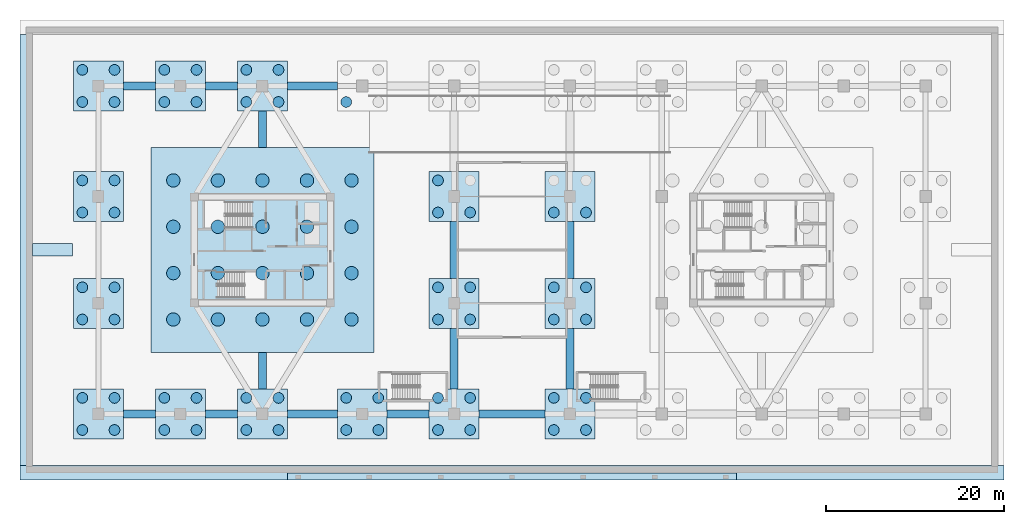
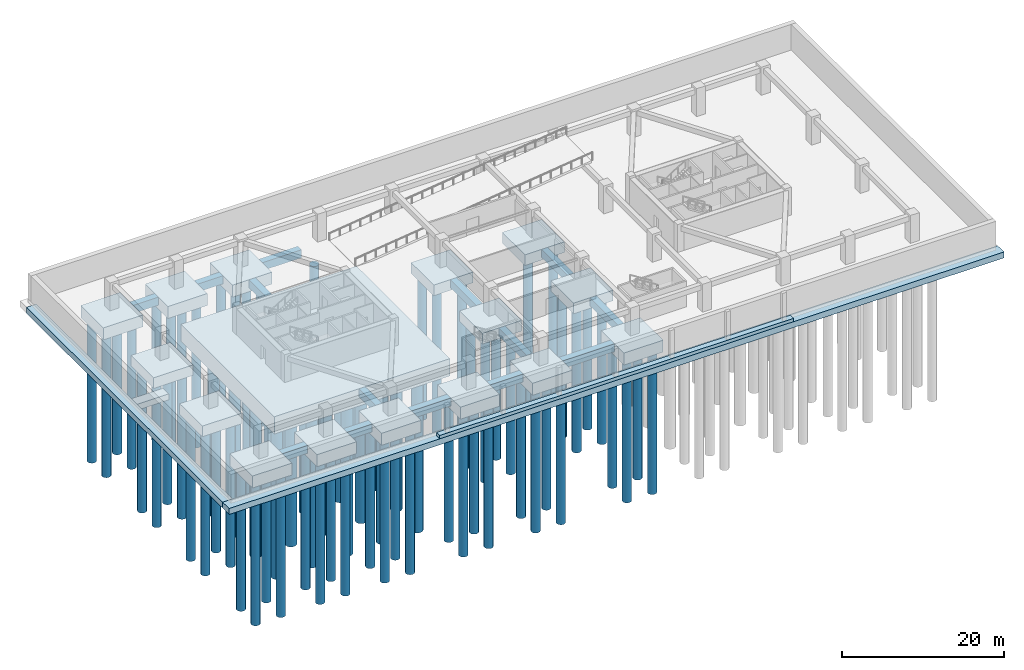
# One storey, part 1 of 14: 78 piles, 34 footings.
"""IFC4 building model written with IfcOpenShell, lengths in metres."""

from ifc_helpers import new_model, si_unit, direction, frame, origin, origin_2d, place, context, subcontext, project, spatial, polyline, circle, outline, extrude, source, transform, mapped, material, layer, layer_set, material_profile, profile_set, type_object, type_shapes, element, save


model = new_model("IFC4")

# Units and contexts
model_context = context("Model", 3, precision=1e-05, world=origin(), true_north=direction((0.0, 1.0)))
body_context = subcontext(model_context, "Body", "Model", "MODEL_VIEW")
ifc_project = project(units=[si_unit("LENGTHUNIT", "METRE"), si_unit("AREAUNIT", "SQUARE_METRE"), si_unit("VOLUMEUNIT", "CUBIC_METRE"), si_unit("PLANEANGLEUNIT", "RADIAN"), si_unit("MASSUNIT", "GRAM", prefix="KILO")], contexts=[model_context])

# Site, building, storey
site_placement = place(None, origin())
site = spatial("IfcSite", under=ifc_project, at=site_placement, CompositionType="ELEMENT")
building_placement = place(site_placement, origin())
building = spatial("IfcBuilding", under=site, at=building_placement, Name="Norrkilde Senior Care Towers", CompositionType="ELEMENT")
storey_placement = place(building_placement, frame((0.0, 0.0, -8.39990234375)))
storey = spatial("IfcBuildingStorey", under=building, at=storey_placement, Name="B2", CompositionType="ELEMENT", Elevation=-8.39990234375)

# Footings
ifc_material_1 = material(Name="Concrete C50/60", Category="concrete")
ifc_layer_1 = layer(ifc_material_1, 1.199951171875)
ifc_layer_set_1 = layer_set([ifc_layer_1], Name="Concrete C50/60")
footing_type_1 = type_object("IfcFootingType", Name="Ground Tie Beam 900x1200", PredefinedType="FOOTING_BEAM", material=ifc_layer_set_1)
footing_1_placement = place(storey_placement, frame((0.0, 0.0, -1.7001953125)))
element("IfcFooting", 1, at=footing_1_placement, inside=storey, type_object=footing_type_1, Name="Ground Tie Beam 01", PredefinedType="FOOTING_BEAM", context=body_context, shape_type="SweptSolid", body=[
    extrude(outline(polyline([(-43.60009765625, -18.85009765625), (-40.0, -18.85009765625), (-40.0, -17.949951171875), (-43.60009765625, -17.949951171875), (-43.60009765625, -18.85009765625)])), origin(), (0.0, 0.0, 1.0), 1.2001953125),
])
footing_2_placement = place(storey_placement, frame((0.0, 0.0, -1.7001953125)))
element("IfcFooting", 2, at=footing_2_placement, inside=storey, type_object=footing_type_1, Name="Ground Tie Beam 02", PredefinedType="FOOTING_BEAM", context=body_context, shape_type="SweptSolid", body=[
    extrude(outline(polyline([(-34.39990234375, -18.85009765625), (-30.800048828125, -18.85009765625), (-30.800048828125, -17.949951171875), (-34.39990234375, -17.949951171875), (-34.39990234375, -18.85009765625)])), origin(), (0.0, 0.0, 1.0), 1.2001953125),
])
footing_3_placement = place(storey_placement, frame((0.0, 0.0, -1.7001953125)))
element("IfcFooting", 3, at=footing_3_placement, inside=storey, type_object=footing_type_1, Name="Ground Tie Beam 03", PredefinedType="FOOTING_BEAM", context=body_context, shape_type="SweptSolid", body=[
    extrude(outline(polyline([(-25.199951171875, -18.85009765625), (-19.60009765625, -18.85009765625), (-19.60009765625, -17.949951171875), (-25.199951171875, -17.949951171875), (-25.199951171875, -18.85009765625)])), origin(), (0.0, 0.0, 1.0), 1.2001953125),
])
footing_4_placement = place(storey_placement, frame((0.0, 0.0, -1.7001953125)))
element("IfcFooting", 4, at=footing_4_placement, inside=storey, type_object=footing_type_1, Name="Ground Tie Beam 04", PredefinedType="FOOTING_BEAM", context=body_context, shape_type="SweptSolid", body=[
    extrude(outline(polyline([(-14.0, -18.85009765625), (-9.300048828125, -18.85009765625), (-9.300048828125, -17.949951171875), (-14.0, -17.949951171875), (-14.0, -18.85009765625)])), origin(), (0.0, 0.0, 1.0), 1.2001953125),
])
footing_5_placement = place(storey_placement, frame((0.0, 0.0, -1.7001953125)))
element("IfcFooting", 5, at=footing_5_placement, inside=storey, type_object=footing_type_1, Name="Ground Tie Beam 05", PredefinedType="FOOTING_BEAM", context=body_context, shape_type="SweptSolid", body=[
    extrude(outline(polyline([(-3.699951171875, -18.85009765625), (3.699951171875, -18.85009765625), (3.699951171875, -17.949951171875), (-3.699951171875, -17.949951171875), (-3.699951171875, -18.85009765625)])), origin(), (0.0, 0.0, 1.0), 1.2001953125),
])
footing_6_placement = place(storey_placement, frame((0.0, 0.0, -1.7001953125)))
element("IfcFooting", 6, at=footing_6_placement, inside=storey, type_object=footing_type_1, Name="Ground Tie Beam 10", PredefinedType="FOOTING_BEAM", context=body_context, shape_type="SweptSolid", body=[
    extrude(outline(polyline([(-43.60009765625, 17.949951171875), (-40.0, 17.949951171875), (-40.0, 18.85009765625), (-43.60009765625, 18.85009765625), (-43.60009765625, 17.949951171875)])), origin(), (0.0, 0.0, 1.0), 1.2001953125),
])
footing_7_placement = place(storey_placement, frame((0.0, 0.0, -1.7001953125)))
element("IfcFooting", 7, at=footing_7_placement, inside=storey, type_object=footing_type_1, Name="Ground Tie Beam 11", PredefinedType="FOOTING_BEAM", context=body_context, shape_type="SweptSolid", body=[
    extrude(outline(polyline([(-34.39990234375, 17.949951171875), (-30.800048828125, 17.949951171875), (-30.800048828125, 18.85009765625), (-34.39990234375, 18.85009765625), (-34.39990234375, 17.949951171875)])), origin(), (0.0, 0.0, 1.0), 1.2001953125),
])
footing_8_placement = place(storey_placement, frame((0.0, 0.0, -1.7001953125)))
element("IfcFooting", 8, at=footing_8_placement, inside=storey, type_object=footing_type_1, Name="Ground Tie Beam 12", PredefinedType="FOOTING_BEAM", context=body_context, shape_type="SweptSolid", body=[
    extrude(outline(polyline([(-25.199951171875, 17.949951171875), (-19.60009765625, 17.949951171875), (-19.60009765625, 18.85009765625), (-25.199951171875, 18.85009765625), (-25.199951171875, 17.949951171875)])), origin(), (0.0, 0.0, 1.0), 1.2001953125),
])
footing_9_placement = place(storey_placement, frame((0.0, 0.0, -1.7001953125)))
element("IfcFooting", 9, at=footing_9_placement, inside=storey, type_object=footing_type_1, Name="Ground Tie Beam 19", PredefinedType="FOOTING_BEAM", context=body_context, shape_type="SweptSolid", body=[
    extrude(outline(polyline([(-28.449951171875, -15.60009765625), (-27.550048828125, -15.60009765625), (-27.550048828125, -11.5), (-28.449951171875, -11.5), (-28.449951171875, -15.60009765625)])), origin(), (0.0, 0.0, 1.0), 1.2001953125),
])
footing_10_placement = place(storey_placement, frame((0.0, 0.0, -1.7001953125)))
element("IfcFooting", 10, at=footing_10_placement, inside=storey, type_object=footing_type_1, Name="Ground Tie Beam 20", PredefinedType="FOOTING_BEAM", context=body_context, shape_type="SweptSolid", body=[
    extrude(outline(polyline([(-28.449951171875, 11.5), (-27.550048828125, 11.5), (-27.550048828125, 15.60009765625), (-28.449951171875, 15.60009765625), (-28.449951171875, 11.5)])), origin(), (0.0, 0.0, 1.0), 1.2001953125),
])
footing_11_placement = place(storey_placement, frame((0.0, 0.0, -1.7001953125)))
element("IfcFooting", 11, at=footing_11_placement, inside=storey, type_object=footing_type_1, Name="Ground Tie Beam 23", PredefinedType="FOOTING_BEAM", context=body_context, shape_type="SweptSolid", body=[
    extrude(outline(polyline([(-6.949951171875, -15.60009765625), (-6.050048828125, -15.60009765625), (-6.050048828125, -8.800048828125), (-6.949951171875, -8.800048828125), (-6.949951171875, -15.60009765625)])), origin(), (0.0, 0.0, 1.0), 1.2001953125),
])
footing_12_placement = place(storey_placement, frame((0.0, 0.0, -1.7001953125)))
element("IfcFooting", 12, at=footing_12_placement, inside=storey, type_object=footing_type_1, Name="Ground Tie Beam 24", PredefinedType="FOOTING_BEAM", context=body_context, shape_type="SweptSolid", body=[
    extrude(outline(polyline([(-6.949951171875, -3.199951171875), (-6.050048828125, -3.199951171875), (-6.050048828125, 3.199951171875), (-6.949951171875, 3.199951171875), (-6.949951171875, -3.199951171875)])), origin(), (0.0, 0.0, 1.0), 1.2001953125),
])
footing_13_placement = place(storey_placement, frame((0.0, 0.0, -1.7001953125)))
element("IfcFooting", 13, at=footing_13_placement, inside=storey, type_object=footing_type_1, Name="Ground Tie Beam 26", PredefinedType="FOOTING_BEAM", context=body_context, shape_type="SweptSolid", body=[
    extrude(outline(polyline([(6.050048828125, -15.60009765625), (6.949951171875, -15.60009765625), (6.949951171875, -8.800048828125), (6.050048828125, -8.800048828125), (6.050048828125, -15.60009765625)])), origin(), (0.0, 0.0, 1.0), 1.2001953125),
])
footing_14_placement = place(storey_placement, frame((0.0, 0.0, -1.7001953125)))
element("IfcFooting", 14, at=footing_14_placement, inside=storey, type_object=footing_type_1, Name="Ground Tie Beam 27", PredefinedType="FOOTING_BEAM", context=body_context, shape_type="SweptSolid", body=[
    extrude(outline(polyline([(6.050048828125, -3.199951171875), (6.949951171875, -3.199951171875), (6.949951171875, 3.199951171875), (6.050048828125, 3.199951171875), (6.050048828125, -3.199951171875)])), origin(), (0.0, 0.0, 1.0), 1.2001953125),
])
ifc_material_2 = material(Name="Concrete C45/55", Category="concrete")
ifc_layer_2 = layer(ifc_material_2, 0.89990234375)
ifc_layer_set_2 = layer_set([ifc_layer_2], Name="Concrete C45/55")
footing_type_2 = type_object("IfcFootingType", Name="Perimeter Wall Strip Footing 1400x900", PredefinedType="STRIP_FOOTING", material=ifc_layer_set_2)
footing_15_placement = place(storey_placement, frame((0.0, 0.0, -0.5)))
element("IfcFooting", 15, at=footing_15_placement, inside=storey, type_object=footing_type_2, Name="Colonnade Pilaster Strip Footing FT-SF-PIL", PredefinedType="STRIP_FOOTING", context=body_context, shape_type="SweptSolid", body=[
    extrude(outline(polyline([(-25.199951171875, -25.800048828125), (25.199951171875, -25.800048828125), (25.199951171875, -25.02001953125), (-25.199951171875, -25.02001953125), (-25.199951171875, -25.800048828125)])), origin(), (0.0, 0.0, 1.0), 0.5),
])
footing_16_placement = place(storey_placement, frame((0.0, 0.0, -1.400146484375)))
element("IfcFooting", 16, at=footing_16_placement, inside=storey, type_object=footing_type_2, Name="Perimeter Strip Footing FT-SF-S", PredefinedType="STRIP_FOOTING", context=body_context, shape_type="SweptSolid", body=[
    extrude(outline(polyline([(-55.199951171875, -25.800048828125), (55.199951171875, -25.800048828125), (55.199951171875, -24.199951171875), (-55.199951171875, -24.199951171875), (-55.199951171875, -25.800048828125)])), origin(), (0.0, 0.0, 1.0), 0.900146484375),
])
footing_17_placement = place(storey_placement, frame((0.0, 0.0, -1.400146484375)))
element("IfcFooting", 17, at=footing_17_placement, inside=storey, type_object=footing_type_2, Name="Perimeter Strip Footing FT-SF-W", PredefinedType="STRIP_FOOTING", context=body_context, shape_type="SweptSolid", body=[
    extrude(outline(polyline([(-55.199951171875, -24.199951171875), (-53.800048828125, -24.199951171875), (-53.800048828125, 24.199951171875), (-55.199951171875, 24.199951171875), (-55.199951171875, -24.199951171875)])), origin(), (0.0, 0.0, 1.0), 0.900146484375),
])
footing_18_placement = place(storey_placement, frame((0.0, 0.0, -1.400146484375)))
element("IfcFooting", 18, at=footing_18_placement, inside=storey, type_object=footing_type_2, Name="Perimeter Strip Footing FT-SF-MW", PredefinedType="STRIP_FOOTING", context=body_context, shape_type="SweptSolid", body=[
    extrude(outline(polyline([(-53.800048828125, -0.699951171875), (-49.300048828125, -0.699951171875), (-49.300048828125, 0.699951171875), (-53.800048828125, 0.699951171875), (-53.800048828125, -0.699951171875)])), origin(), (0.0, 0.0, 1.0), 0.900146484375),
])
ifc_layer_3 = layer(ifc_material_1, 1.800048828125)
ifc_layer_set_3 = layer_set([ifc_layer_3], Name="Concrete C50/60")
footing_type_3 = type_object("IfcFootingType", Name="Podium Heavy Pile Cap 4800x4800x1800", PredefinedType="PILE_CAP", material=ifc_layer_set_3)
footing_19_placement = place(storey_placement, frame((0.0, 0.0, -2.300048828125)))
element("IfcFooting", 19, at=footing_19_placement, inside=storey, type_object=footing_type_3, Name="Podium Pile Cap 01", PredefinedType="PILE_CAP", context=body_context, shape_type="SweptSolid", body=[
    extrude(outline(polyline([(-49.199951171875, -21.199951171875), (-43.60009765625, -21.199951171875), (-43.60009765625, -15.60009765625), (-49.199951171875, -15.60009765625), (-49.199951171875, -21.199951171875)])), origin(), (0.0, 0.0, 1.0), 1.800048828125),
])
footing_20_placement = place(storey_placement, frame((0.0, 0.0, -2.300048828125)))
element("IfcFooting", 20, at=footing_20_placement, inside=storey, type_object=footing_type_3, Name="Podium Pile Cap 02", PredefinedType="PILE_CAP", context=body_context, shape_type="SweptSolid", body=[
    extrude(outline(polyline([(-40.0, -21.199951171875), (-34.39990234375, -21.199951171875), (-34.39990234375, -15.60009765625), (-40.0, -15.60009765625), (-40.0, -21.199951171875)])), origin(), (0.0, 0.0, 1.0), 1.800048828125),
])
footing_21_placement = place(storey_placement, frame((0.0, 0.0, -2.300048828125)))
element("IfcFooting", 21, at=footing_21_placement, inside=storey, type_object=footing_type_3, Name="Podium Pile Cap 03", PredefinedType="PILE_CAP", context=body_context, shape_type="SweptSolid", body=[
    extrude(outline(polyline([(-30.800048828125, -21.199951171875), (-25.199951171875, -21.199951171875), (-25.199951171875, -15.60009765625), (-30.800048828125, -15.60009765625), (-30.800048828125, -21.199951171875)])), origin(), (0.0, 0.0, 1.0), 1.800048828125),
])
footing_22_placement = place(storey_placement, frame((0.0, 0.0, -2.300048828125)))
element("IfcFooting", 22, at=footing_22_placement, inside=storey, type_object=footing_type_3, Name="Podium Pile Cap 04", PredefinedType="PILE_CAP", context=body_context, shape_type="SweptSolid", body=[
    extrude(outline(polyline([(-19.60009765625, -21.199951171875), (-14.0, -21.199951171875), (-14.0, -15.60009765625), (-19.60009765625, -15.60009765625), (-19.60009765625, -21.199951171875)])), origin(), (0.0, 0.0, 1.0), 1.800048828125),
])
footing_23_placement = place(storey_placement, frame((0.0, 0.0, -2.300048828125)))
element("IfcFooting", 23, at=footing_23_placement, inside=storey, type_object=footing_type_3, Name="Podium Pile Cap 05", PredefinedType="PILE_CAP", context=body_context, shape_type="SweptSolid", body=[
    extrude(outline(polyline([(-9.300048828125, -21.199951171875), (-3.699951171875, -21.199951171875), (-3.699951171875, -15.60009765625), (-9.300048828125, -15.60009765625), (-9.300048828125, -21.199951171875)])), origin(), (0.0, 0.0, 1.0), 1.800048828125),
])
footing_24_placement = place(storey_placement, frame((0.0, 0.0, -2.300048828125)))
element("IfcFooting", 24, at=footing_24_placement, inside=storey, type_object=footing_type_3, Name="Podium Pile Cap 06", PredefinedType="PILE_CAP", context=body_context, shape_type="SweptSolid", body=[
    extrude(outline(polyline([(3.699951171875, -21.199951171875), (9.300048828125, -21.199951171875), (9.300048828125, -15.60009765625), (3.699951171875, -15.60009765625), (3.699951171875, -21.199951171875)])), origin(), (0.0, 0.0, 1.0), 1.800048828125),
])
footing_25_placement = place(storey_placement, frame((0.0, 0.0, -2.300048828125)))
element("IfcFooting", 25, at=footing_25_placement, inside=storey, type_object=footing_type_3, Name="Podium Pile Cap 11", PredefinedType="PILE_CAP", context=body_context, shape_type="SweptSolid", body=[
    extrude(outline(polyline([(-49.199951171875, 15.60009765625), (-43.60009765625, 15.60009765625), (-43.60009765625, 21.199951171875), (-49.199951171875, 21.199951171875), (-49.199951171875, 15.60009765625)])), origin(), (0.0, 0.0, 1.0), 1.800048828125),
])
footing_26_placement = place(storey_placement, frame((0.0, 0.0, -2.300048828125)))
element("IfcFooting", 26, at=footing_26_placement, inside=storey, type_object=footing_type_3, Name="Podium Pile Cap 12", PredefinedType="PILE_CAP", context=body_context, shape_type="SweptSolid", body=[
    extrude(outline(polyline([(-40.0, 15.60009765625), (-34.39990234375, 15.60009765625), (-34.39990234375, 21.199951171875), (-40.0, 21.199951171875), (-40.0, 15.60009765625)])), origin(), (0.0, 0.0, 1.0), 1.800048828125),
])
footing_27_placement = place(storey_placement, frame((0.0, 0.0, -2.300048828125)))
element("IfcFooting", 27, at=footing_27_placement, inside=storey, type_object=footing_type_3, Name="Podium Pile Cap 13", PredefinedType="PILE_CAP", context=body_context, shape_type="SweptSolid", body=[
    extrude(outline(polyline([(-30.800048828125, 15.60009765625), (-25.199951171875, 15.60009765625), (-25.199951171875, 21.199951171875), (-30.800048828125, 21.199951171875), (-30.800048828125, 15.60009765625)])), origin(), (0.0, 0.0, 1.0), 1.800048828125),
])
ifc_layer_4 = layer(ifc_material_1, 1.60009765625)
ifc_layer_set_4 = layer_set([ifc_layer_4], Name="Concrete C50/60")
footing_type_4 = type_object("IfcFootingType", Name="Podium Standard Pile Cap 4200x4200x1600", PredefinedType="PILE_CAP", material=ifc_layer_set_4)
footing_28_placement = place(storey_placement, frame((0.0, 0.0, -2.10009765625)))
element("IfcFooting", 28, at=footing_28_placement, inside=storey, type_object=footing_type_4, Name="Podium Pile Cap 21", PredefinedType="PILE_CAP", context=body_context, shape_type="SweptSolid", body=[
    extrude(outline(polyline([(-49.199951171875, -8.800048828125), (-43.60009765625, -8.800048828125), (-43.60009765625, -3.199951171875), (-49.199951171875, -3.199951171875), (-49.199951171875, -8.800048828125)])), origin(), (0.0, 0.0, 1.0), 1.60009765625),
])
footing_29_placement = place(storey_placement, frame((0.0, 0.0, -2.10009765625)))
element("IfcFooting", 29, at=footing_29_placement, inside=storey, type_object=footing_type_4, Name="Podium Pile Cap 22", PredefinedType="PILE_CAP", context=body_context, shape_type="SweptSolid", body=[
    extrude(outline(polyline([(-49.199951171875, 3.199951171875), (-43.60009765625, 3.199951171875), (-43.60009765625, 8.800048828125), (-49.199951171875, 8.800048828125), (-49.199951171875, 3.199951171875)])), origin(), (0.0, 0.0, 1.0), 1.60009765625),
])
footing_30_placement = place(storey_placement, frame((0.0, 0.0, -2.10009765625)))
element("IfcFooting", 30, at=footing_30_placement, inside=storey, type_object=footing_type_4, Name="Podium Pile Cap 23", PredefinedType="PILE_CAP", context=body_context, shape_type="SweptSolid", body=[
    extrude(outline(polyline([(-9.300048828125, -8.800048828125), (-3.699951171875, -8.800048828125), (-3.699951171875, -3.199951171875), (-9.300048828125, -3.199951171875), (-9.300048828125, -8.800048828125)])), origin(), (0.0, 0.0, 1.0), 1.60009765625),
])
footing_31_placement = place(storey_placement, frame((0.0, 0.0, -2.10009765625)))
element("IfcFooting", 31, at=footing_31_placement, inside=storey, type_object=footing_type_4, Name="Podium Pile Cap 24", PredefinedType="PILE_CAP", context=body_context, shape_type="SweptSolid", body=[
    extrude(outline(polyline([(-9.300048828125, 3.199951171875), (-3.699951171875, 3.199951171875), (-3.699951171875, 8.800048828125), (-9.300048828125, 8.800048828125), (-9.300048828125, 3.199951171875)])), origin(), (0.0, 0.0, 1.0), 1.60009765625),
])
footing_32_placement = place(storey_placement, frame((0.0, 0.0, -2.10009765625)))
element("IfcFooting", 32, at=footing_32_placement, inside=storey, type_object=footing_type_4, Name="Podium Pile Cap 25", PredefinedType="PILE_CAP", context=body_context, shape_type="SweptSolid", body=[
    extrude(outline(polyline([(3.699951171875, -8.800048828125), (9.300048828125, -8.800048828125), (9.300048828125, -3.199951171875), (3.699951171875, -3.199951171875), (3.699951171875, -8.800048828125)])), origin(), (0.0, 0.0, 1.0), 1.60009765625),
])
footing_33_placement = place(storey_placement, frame((0.0, 0.0, -2.10009765625)))
element("IfcFooting", 33, at=footing_33_placement, inside=storey, type_object=footing_type_4, Name="Podium Pile Cap 26", PredefinedType="PILE_CAP", context=body_context, shape_type="SweptSolid", body=[
    extrude(outline(polyline([(3.699951171875, 3.199951171875), (9.300048828125, 3.199951171875), (9.300048828125, 8.800048828125), (3.699951171875, 8.800048828125), (3.699951171875, 3.199951171875)])), origin(), (0.0, 0.0, 1.0), 1.60009765625),
])
ifc_layer_5 = layer(ifc_material_1, 2.60009765625)
ifc_layer_set_5 = layer_set([ifc_layer_5], Name="Concrete C50/60")
footing_type_5 = type_object("IfcFootingType", Name="Tower Cellular Piled Raft 2600", PredefinedType="PILE_CAP", material=ifc_layer_set_5)
footing_34_placement = place(storey_placement, frame((0.0, 0.0, -3.10009765625)))
element("IfcFooting", 34, at=footing_34_placement, inside=storey, type_object=footing_type_5, Name="Tower W Cellular Piled Raft", PredefinedType="PILE_CAP", context=body_context, shape_type="SweptSolid", body=[
    extrude(outline(polyline([(-40.5, -11.5), (-15.5, -11.5), (-15.5, 11.5), (-40.5, 11.5), (-40.5, -11.5)])), origin(), (0.0, 0.0, 1.0), 2.60009765625),
])

# Piles
ifc_material_profile_1 = material_profile(ifc_material_2, circle(Radius=0.75, at=origin_2d()), Name="BORED PILE 1500")
ifc_profile_set_1 = profile_set([ifc_material_profile_1], Name="Concrete C45/55")
pile_type_1 = type_object("IfcPileType", Name="Rock-Socketed Bored Pile D1500", PredefinedType="BORED", material=ifc_profile_set_1)
shared_shape_1 = source(origin(), body_context, "Body", "SweptSolid", [
    extrude(circle(Radius=0.75, at=origin_2d()), origin(), (0.0, 0.0, 1.0), 24.64990234375),
])
type_shapes(pile_type_1, [shared_shape_1])
for number, where, z_axis, x_axis, name in (
    (35, (-38.0, -7.800048828125, -2.9501953125), (0.0, 0.0, -1.0), (1.0, 0.0, 0.0), "Tower W Bored Pile 01"),
    (36, (-38.0, -2.60009765625, -2.9501953125), (0.0, 0.0, -1.0), (1.0, 0.0, 0.0), "Tower W Bored Pile 02"),
    (37, (-38.0, 2.60009765625, -2.9501953125), (0.0, 0.0, -1.0), (1.0, 0.0, 0.0), "Tower W Bored Pile 03"),
    (38, (-38.0, 7.800048828125, -2.9501953125), (0.0, 0.0, -1.0), (1.0, 0.0, 0.0), "Tower W Bored Pile 04"),
    (39, (-33.0, -7.800048828125, -2.9501953125), (0.0, 0.0, -1.0), (1.0, 0.0, 0.0), "Tower W Bored Pile 05"),
    (40, (-33.0, -2.60009765625, -2.9501953125), (0.0, 0.0, -1.0), (1.0, 0.0, 0.0), "Tower W Bored Pile 06"),
    (41, (-33.0, 2.60009765625, -2.9501953125), (0.0, 0.0, -1.0), (1.0, 0.0, 0.0), "Tower W Bored Pile 07"),
    (42, (-33.0, 7.800048828125, -2.9501953125), (0.0, 0.0, -1.0), (1.0, 0.0, 0.0), "Tower W Bored Pile 08"),
    (43, (-28.0, -7.800048828125, -2.9501953125), (0.0, 0.0, -1.0), (1.0, 0.0, 0.0), "Tower W Bored Pile 09"),
    (44, (-28.0, -2.60009765625, -2.9501953125), (0.0, 0.0, -1.0), (1.0, 0.0, 0.0), "Tower W Bored Pile 10"),
    (45, (-28.0, 2.60009765625, -2.9501953125), (0.0, 0.0, -1.0), (1.0, 0.0, 0.0), "Tower W Bored Pile 11"),
    (46, (-28.0, 7.800048828125, -2.9501953125), (0.0, 0.0, -1.0), (1.0, 0.0, 0.0), "Tower W Bored Pile 12"),
    (47, (-23.0, -7.800048828125, -2.9501953125), (0.0, 0.0, -1.0), (1.0, 0.0, 0.0), "Tower W Bored Pile 13"),
    (48, (-23.0, -2.60009765625, -2.9501953125), (0.0, 0.0, -1.0), (1.0, 0.0, 0.0), "Tower W Bored Pile 14"),
    (49, (-23.0, 2.60009765625, -2.9501953125), (0.0, 0.0, -1.0), (1.0, 0.0, 0.0), "Tower W Bored Pile 15"),
    (50, (-23.0, 7.800048828125, -2.9501953125), (0.0, 0.0, -1.0), (1.0, 0.0, 0.0), "Tower W Bored Pile 16"),
    (51, (-18.0, -7.800048828125, -2.9501953125), (0.0, 0.0, -1.0), (1.0, 0.0, 0.0), "Tower W Bored Pile 17"),
    (52, (-18.0, -2.60009765625, -2.9501953125), (0.0, 0.0, -1.0), (1.0, 0.0, 0.0), "Tower W Bored Pile 18"),
    (53, (-18.0, 2.60009765625, -2.9501953125), (0.0, 0.0, -1.0), (1.0, 0.0, 0.0), "Tower W Bored Pile 19"),
    (54, (-18.0, 7.800048828125, -2.9501953125), (0.0, 0.0, -1.0), (1.0, 0.0, 0.0), "Tower W Bored Pile 20"),
):
    element("IfcPile", number, at=place(storey_placement, frame(where, z_axis=z_axis, x_axis=x_axis)), inside=storey, type_object=pile_type_1, Name=name, PredefinedType="BORED", context=body_context, shape_type="MappedRepresentation", body=[
        mapped(shared_shape_1, transform((0.0, 0.0, 0.0), x_axis=(1.0, 0.0, 0.0), y_axis=(0.0, 1.0, 0.0), z_axis=(0.0, 0.0, 1.0), scale=1.0)),
    ])
ifc_material_profile_2 = material_profile(ifc_material_2, circle(Radius=0.60009765625, at=origin_2d()), Name="BORED PILE 1200")
ifc_profile_set_2 = profile_set([ifc_material_profile_2], Name="Concrete C45/55")
pile_type_2 = type_object("IfcPileType", Name="Podium Bored Pile D1200", PredefinedType="BORED", material=ifc_profile_set_2)
shared_shape_2 = source(origin(), body_context, "Body", "SweptSolid", [
    extrude(circle(Radius=0.60009765625, at=origin_2d()), origin(), (0.0, 0.0, 1.0), 21.449951171875),
])
for number, where, z_axis, x_axis, name in (
    (55, (-48.199951171875, -20.199951171875, -2.150146484375), (0.0, 0.0, -1.0), (1.0, 0.0, 0.0), "Podium Cap 01 Bored Pile 1"),
    (56, (-48.199951171875, -16.60009765625, -2.150146484375), (0.0, 0.0, -1.0), (1.0, 0.0, 0.0), "Podium Cap 01 Bored Pile 2"),
    (57, (-44.60009765625, -20.199951171875, -2.150146484375), (0.0, 0.0, -1.0), (1.0, 0.0, 0.0), "Podium Cap 01 Bored Pile 3"),
    (58, (-44.60009765625, -16.60009765625, -2.150146484375), (0.0, 0.0, -1.0), (1.0, 0.0, 0.0), "Podium Cap 01 Bored Pile 4"),
    (59, (-39.0, -20.199951171875, -2.150146484375), (0.0, 0.0, -1.0), (1.0, 0.0, 0.0), "Podium Cap 02 Bored Pile 1"),
    (60, (-39.0, -16.60009765625, -2.150146484375), (0.0, 0.0, -1.0), (1.0, 0.0, 0.0), "Podium Cap 02 Bored Pile 2"),
    (61, (-35.39990234375, -20.199951171875, -2.150146484375), (0.0, 0.0, -1.0), (1.0, 0.0, 0.0), "Podium Cap 02 Bored Pile 3"),
    (62, (-35.39990234375, -16.60009765625, -2.150146484375), (0.0, 0.0, -1.0), (1.0, 0.0, 0.0), "Podium Cap 02 Bored Pile 4"),
    (63, (-29.800048828125, -20.199951171875, -2.150146484375), (0.0, 0.0, -1.0), (1.0, 0.0, 0.0), "Podium Cap 03 Bored Pile 1"),
    (64, (-29.800048828125, -16.60009765625, -2.150146484375), (0.0, 0.0, -1.0), (1.0, 0.0, 0.0), "Podium Cap 03 Bored Pile 2"),
    (65, (-26.199951171875, -20.199951171875, -2.150146484375), (0.0, 0.0, -1.0), (1.0, 0.0, 0.0), "Podium Cap 03 Bored Pile 3"),
    (66, (-26.199951171875, -16.60009765625, -2.150146484375), (0.0, 0.0, -1.0), (1.0, 0.0, 0.0), "Podium Cap 03 Bored Pile 4"),
    (67, (-18.60009765625, -20.199951171875, -2.150146484375), (0.0, 0.0, -1.0), (1.0, 0.0, 0.0), "Podium Cap 04 Bored Pile 1"),
    (68, (-18.60009765625, -16.60009765625, -2.150146484375), (0.0, 0.0, -1.0), (1.0, 0.0, 0.0), "Podium Cap 04 Bored Pile 2"),
    (69, (-15.0, -20.199951171875, -2.150146484375), (0.0, 0.0, -1.0), (1.0, 0.0, 0.0), "Podium Cap 04 Bored Pile 3"),
    (70, (-15.0, -16.60009765625, -2.150146484375), (0.0, 0.0, -1.0), (1.0, 0.0, 0.0), "Podium Cap 04 Bored Pile 4"),
    (71, (-8.300048828125, -20.199951171875, -2.150146484375), (0.0, 0.0, -1.0), (1.0, 0.0, 0.0), "Podium Cap 05 Bored Pile 1"),
    (72, (-8.300048828125, -16.60009765625, -2.150146484375), (0.0, 0.0, -1.0), (1.0, 0.0, 0.0), "Podium Cap 05 Bored Pile 2"),
    (73, (-4.699951171875, -20.199951171875, -2.150146484375), (0.0, 0.0, -1.0), (1.0, 0.0, 0.0), "Podium Cap 05 Bored Pile 3"),
    (74, (-4.699951171875, -16.60009765625, -2.150146484375), (0.0, 0.0, -1.0), (1.0, 0.0, 0.0), "Podium Cap 05 Bored Pile 4"),
    (75, (4.699951171875, -20.199951171875, -2.150146484375), (0.0, 0.0, -1.0), (1.0, 0.0, 0.0), "Podium Cap 06 Bored Pile 1"),
    (76, (4.699951171875, -16.60009765625, -2.150146484375), (0.0, 0.0, -1.0), (1.0, 0.0, 0.0), "Podium Cap 06 Bored Pile 2"),
    (77, (8.300048828125, -20.199951171875, -2.150146484375), (0.0, 0.0, -1.0), (1.0, 0.0, 0.0), "Podium Cap 06 Bored Pile 3"),
    (78, (8.300048828125, -16.60009765625, -2.150146484375), (0.0, 0.0, -1.0), (1.0, 0.0, 0.0), "Podium Cap 06 Bored Pile 4"),
    (79, (-48.199951171875, 16.60009765625, -2.150146484375), (0.0, 0.0, -1.0), (1.0, 0.0, 0.0), "Podium Cap 11 Bored Pile 1"),
    (80, (-48.199951171875, 20.199951171875, -2.150146484375), (0.0, 0.0, -1.0), (1.0, 0.0, 0.0), "Podium Cap 11 Bored Pile 2"),
    (81, (-44.60009765625, 16.60009765625, -2.150146484375), (0.0, 0.0, -1.0), (1.0, 0.0, 0.0), "Podium Cap 11 Bored Pile 3"),
    (82, (-44.60009765625, 20.199951171875, -2.150146484375), (0.0, 0.0, -1.0), (1.0, 0.0, 0.0), "Podium Cap 11 Bored Pile 4"),
    (83, (-39.0, 16.60009765625, -2.150146484375), (0.0, 0.0, -1.0), (1.0, 0.0, 0.0), "Podium Cap 12 Bored Pile 1"),
    (84, (-39.0, 20.199951171875, -2.150146484375), (0.0, 0.0, -1.0), (1.0, 0.0, 0.0), "Podium Cap 12 Bored Pile 2"),
    (85, (-35.39990234375, 16.60009765625, -2.150146484375), (0.0, 0.0, -1.0), (1.0, 0.0, 0.0), "Podium Cap 12 Bored Pile 3"),
    (86, (-35.39990234375, 20.199951171875, -2.150146484375), (0.0, 0.0, -1.0), (1.0, 0.0, 0.0), "Podium Cap 12 Bored Pile 4"),
    (87, (-29.800048828125, 16.60009765625, -2.150146484375), (0.0, 0.0, -1.0), (1.0, 0.0, 0.0), "Podium Cap 13 Bored Pile 1"),
    (88, (-29.800048828125, 20.199951171875, -2.150146484375), (0.0, 0.0, -1.0), (1.0, 0.0, 0.0), "Podium Cap 13 Bored Pile 2"),
    (89, (-26.199951171875, 16.60009765625, -2.150146484375), (0.0, 0.0, -1.0), (1.0, 0.0, 0.0), "Podium Cap 13 Bored Pile 3"),
    (90, (-26.199951171875, 20.199951171875, -2.150146484375), (0.0, 0.0, -1.0), (1.0, 0.0, 0.0), "Podium Cap 13 Bored Pile 4"),
    (91, (-18.60009765625, 16.60009765625, -2.150146484375), (0.0, 0.0, -1.0), (1.0, 0.0, 0.0), "Podium Cap 14 Bored Pile 1"),
):
    element("IfcPile", number, at=place(storey_placement, frame(where, z_axis=z_axis, x_axis=x_axis)), inside=storey, type_object=pile_type_2, Name=name, PredefinedType="BORED", context=body_context, shape_type="MappedRepresentation", body=[
        mapped(shared_shape_2, transform((0.0, 0.0, 0.0), x_axis=(1.0, 0.0, 0.0), y_axis=(0.0, 1.0, 0.0), z_axis=(0.0, 0.0, 1.0), scale=1.0)),
    ])
shared_shape_3 = source(origin(), body_context, "Body", "SweptSolid", [
    extrude(circle(Radius=0.60009765625, at=origin_2d()), origin(), (0.0, 0.0, 1.0), 21.64990234375),
])
type_shapes(pile_type_2, [shared_shape_2, shared_shape_3])
for number, where, z_axis, x_axis, name in (
    (92, (-48.199951171875, -7.800048828125, -1.9501953125), (0.0, 0.0, -1.0), (1.0, 0.0, 0.0), "Podium Cap 21 Bored Pile 1"),
    (93, (-48.199951171875, -4.199951171875, -1.9501953125), (0.0, 0.0, -1.0), (1.0, 0.0, 0.0), "Podium Cap 21 Bored Pile 2"),
    (94, (-44.60009765625, -7.800048828125, -1.9501953125), (0.0, 0.0, -1.0), (1.0, 0.0, 0.0), "Podium Cap 21 Bored Pile 3"),
    (95, (-44.60009765625, -4.199951171875, -1.9501953125), (0.0, 0.0, -1.0), (1.0, 0.0, 0.0), "Podium Cap 21 Bored Pile 4"),
    (96, (-48.199951171875, 4.199951171875, -1.9501953125), (0.0, 0.0, -1.0), (1.0, 0.0, 0.0), "Podium Cap 22 Bored Pile 1"),
    (97, (-48.199951171875, 7.800048828125, -1.9501953125), (0.0, 0.0, -1.0), (1.0, 0.0, 0.0), "Podium Cap 22 Bored Pile 2"),
    (98, (-44.60009765625, 4.199951171875, -1.9501953125), (0.0, 0.0, -1.0), (1.0, 0.0, 0.0), "Podium Cap 22 Bored Pile 3"),
    (99, (-44.60009765625, 7.800048828125, -1.9501953125), (0.0, 0.0, -1.0), (1.0, 0.0, 0.0), "Podium Cap 22 Bored Pile 4"),
    (100, (-8.300048828125, -7.800048828125, -1.9501953125), (0.0, 0.0, -1.0), (1.0, 0.0, 0.0), "Podium Cap 23 Bored Pile 1"),
    (101, (-8.300048828125, -4.199951171875, -1.9501953125), (0.0, 0.0, -1.0), (1.0, 0.0, 0.0), "Podium Cap 23 Bored Pile 2"),
    (102, (-4.699951171875, -7.800048828125, -1.9501953125), (0.0, 0.0, -1.0), (1.0, 0.0, 0.0), "Podium Cap 23 Bored Pile 3"),
    (103, (-4.699951171875, -4.199951171875, -1.9501953125), (0.0, 0.0, -1.0), (1.0, 0.0, 0.0), "Podium Cap 23 Bored Pile 4"),
    (104, (-8.300048828125, 4.199951171875, -1.9501953125), (0.0, 0.0, -1.0), (1.0, 0.0, 0.0), "Podium Cap 24 Bored Pile 1"),
    (105, (-8.300048828125, 7.800048828125, -1.9501953125), (0.0, 0.0, -1.0), (1.0, 0.0, 0.0), "Podium Cap 24 Bored Pile 2"),
    (106, (-4.699951171875, 4.199951171875, -1.9501953125), (0.0, 0.0, -1.0), (1.0, 0.0, 0.0), "Podium Cap 24 Bored Pile 3"),
    (107, (4.699951171875, -7.800048828125, -1.9501953125), (0.0, 0.0, -1.0), (1.0, 0.0, 0.0), "Podium Cap 25 Bored Pile 1"),
    (108, (4.699951171875, -4.199951171875, -1.9501953125), (0.0, 0.0, -1.0), (1.0, 0.0, 0.0), "Podium Cap 25 Bored Pile 2"),
    (109, (8.300048828125, -7.800048828125, -1.9501953125), (0.0, 0.0, -1.0), (1.0, 0.0, 0.0), "Podium Cap 25 Bored Pile 3"),
    (110, (8.300048828125, -4.199951171875, -1.9501953125), (0.0, 0.0, -1.0), (1.0, 0.0, 0.0), "Podium Cap 25 Bored Pile 4"),
    (111, (4.699951171875, 4.199951171875, -1.9501953125), (0.0, 0.0, -1.0), (1.0, 0.0, 0.0), "Podium Cap 26 Bored Pile 1"),
    (112, (8.300048828125, 4.199951171875, -1.9501953125), (0.0, 0.0, -1.0), (1.0, 0.0, 0.0), "Podium Cap 26 Bored Pile 3"),
):
    element("IfcPile", number, at=place(storey_placement, frame(where, z_axis=z_axis, x_axis=x_axis)), inside=storey, type_object=pile_type_2, Name=name, PredefinedType="BORED", context=body_context, shape_type="MappedRepresentation", body=[
        mapped(shared_shape_3, transform((0.0, 0.0, 0.0), x_axis=(1.0, 0.0, 0.0), y_axis=(0.0, 1.0, 0.0), z_axis=(0.0, 0.0, 1.0), scale=1.0)),
    ])

save(model, "model.ifc")
